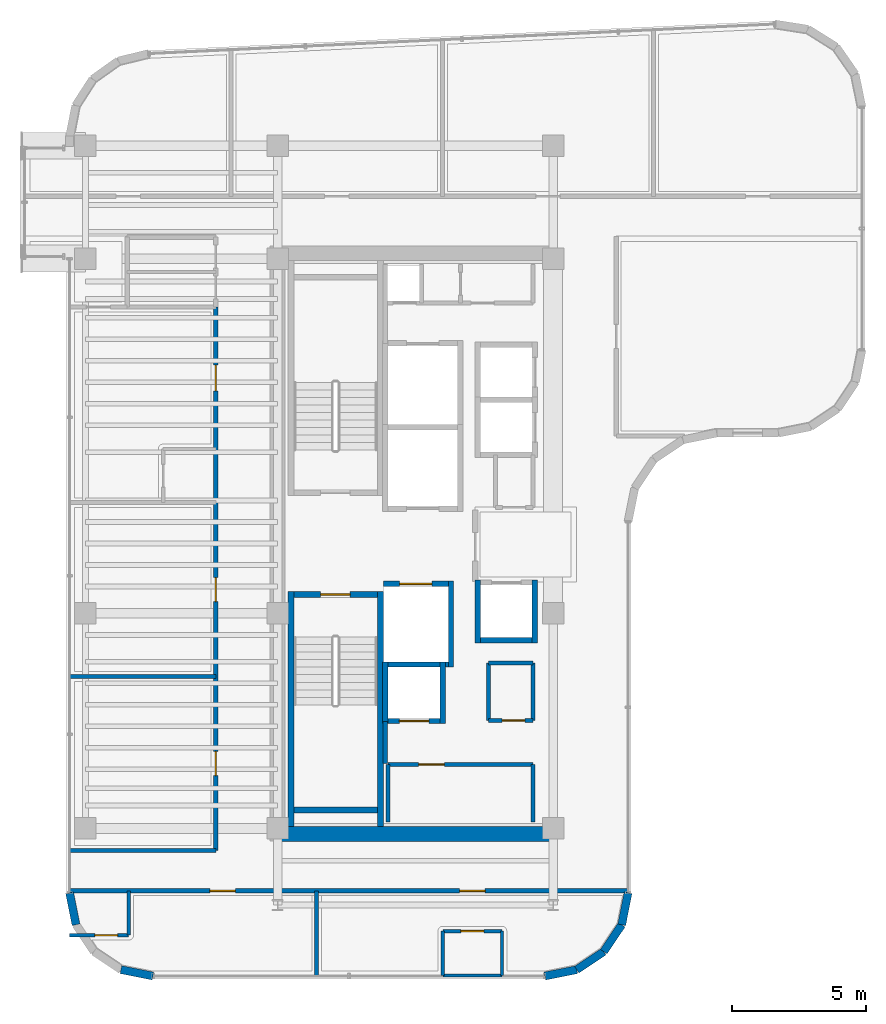
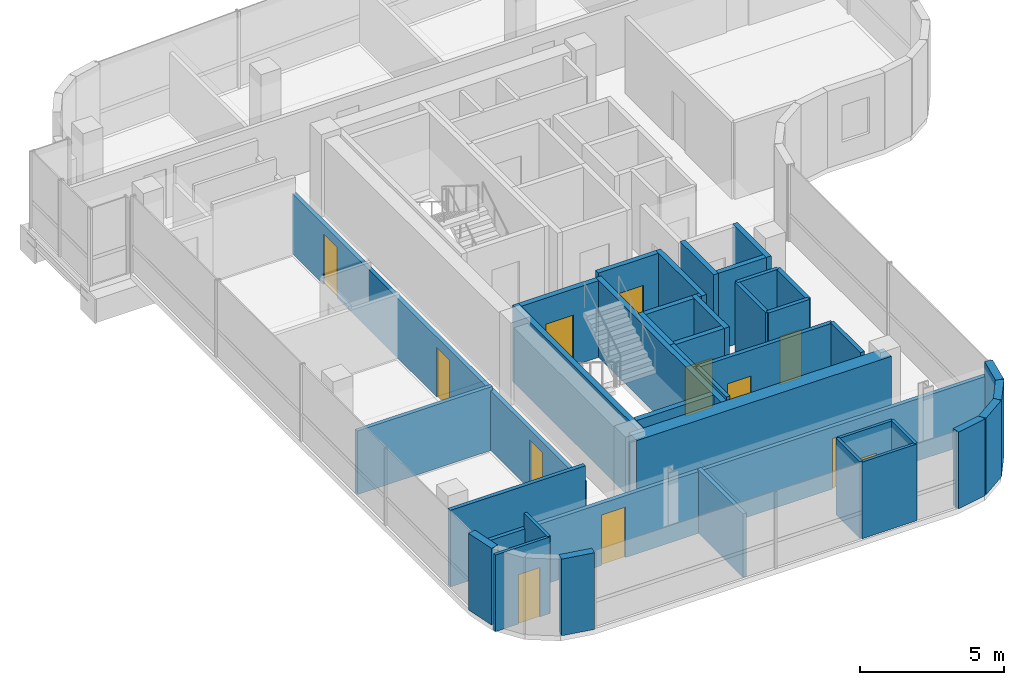
# One storey, part 16 of 21: 39 walls, 12 doors, 12 openings.
"""IFC4 building model written with IfcOpenShell, lengths in metres."""

from ifc_helpers import new_model, si_unit, direction, frame, frame_2d, origin, place, context, subcontext, project, spatial, rectangle, extrude, material, layer, layer_set, type_object, element, fill, save


model = new_model("IFC4")

# Units and contexts
model_context = context("Model", 3, precision=1e-05, world=origin(), true_north=direction((0.0, 1.0)))
body_context = subcontext(model_context, "Body", "Model", "MODEL_VIEW")
ifc_project = project(units=[si_unit("LENGTHUNIT", "METRE"), si_unit("AREAUNIT", "SQUARE_METRE"), si_unit("VOLUMEUNIT", "CUBIC_METRE"), si_unit("PLANEANGLEUNIT", "RADIAN"), si_unit("MASSUNIT", "GRAM", prefix="KILO")], contexts=[model_context])

# Site, building, storey
site_placement = place(None, origin())
site = spatial("IfcSite", under=ifc_project, at=site_placement, CompositionType="ELEMENT")
building_placement = place(site_placement, origin())
building = spatial("IfcBuilding", under=site, at=building_placement, Name="Valdorenza Pilgrim Sanctuary Tower", CompositionType="ELEMENT")
storey_placement = place(building_placement, frame((0.0, 0.0, 254.5)))
storey = spatial("IfcBuildingStorey", under=building, at=storey_placement, Name="L66", CompositionType="ELEMENT", Elevation=254.5)

# Wall
ifc_material_1 = material(Name="Acoustic twin-stud gypsum partition", Category="gypsum")
ifc_layer_1 = layer(ifc_material_1, 0.159912109375, Name="Acoustic twin-stud gypsum partition")
ifc_layer_set_1 = layer_set([ifc_layer_1], Name="Acoustic twin-stud gypsum partition")
wall_type_1 = type_object("IfcWallType", Name="WAL-COR-160", PredefinedType="PARTITIONING", material=ifc_layer_set_1)
wall_1_placement = place(storey_placement, frame((-18.64990234375, -8.179931640625, 0.0), z_axis=(0.0, 0.0, 1.0), x_axis=(0.0, 1.0, 0.0)))
element("IfcWall", 1, at=wall_1_placement, inside=storey, type_object=wall_type_1, Name="L66 Core A South Lift Hall West Wall", PredefinedType="PARTITIONING", context=body_context, shape_type="SweptSolid", body=[
    extrude(rectangle(XDim=1.559814453125, YDim=0.159912109375, at=frame_2d((0.77978515625, 0.0))), origin(), (0.0, 0.0, 1.0), 3.260009765625),
])

# Wall, opening, door
wall_2_placement = place(storey_placement, frame((-18.550048828125, -8.219970703125, 0.0), z_axis=(0.0, 0.0, 1.0), x_axis=(1.0, 0.0, 0.0)))
wall_2 = element("IfcWall", 2, at=wall_2_placement, inside=storey, type_object=wall_type_1, Name="L66 Freed Shaft 1 North Wall", PredefinedType="PARTITIONING", context=body_context, shape_type="SweptSolid", body=[
    extrude(rectangle(XDim=5.400146484375, YDim=0.159912109375, at=frame_2d((2.7001953125, 0.0))), origin(), (0.0, 0.0, 1.0), 3.260009765625),
])
opening_1_placement = place(wall_2_placement, frame((1.14990234375, 0.0, 0.0)))
opening_1 = element("IfcOpeningElement", 3, at=opening_1_placement, cuts=wall_2, Name="Opening DR-UN1", PredefinedType="OPENING", context=body_context, shape_type="SweptSolid", body=[
    extrude(rectangle(XDim=0.949951171875, YDim=2.14990234375, at=frame_2d((0.47509765625, 1.074951171875))), frame((0.0, 0.0947265625, 0.0), z_axis=(0.0, -1.0, 0.0), x_axis=(1.0, 0.0, 0.0)), (0.0, 0.0, 1.0), 0.189697265625),
])
ifc_material_2 = material(Name="Solid-core European oak timber", Category="wood")
door_type_1 = type_object("IfcDoorType", Name="DR-UNIT-950", OperationType="NOTDEFINED", PredefinedType="DOOR", material=ifc_material_2)
door_1_placement = place(opening_1_placement, origin())
door_1 = element("IfcDoor", 4, at=door_1_placement, inside=storey, type_object=door_type_1, Name="L66 Back-of-House Linen Store Door", OperationType="SINGLE_SWING_RIGHT", OverallHeight=2.14990234375, OverallWidth=0.949951171875, PredefinedType="DOOR", context=body_context, shape_type="SweptSolid", body=[
    extrude(rectangle(XDim=0.949951171875, YDim=2.14990234375, at=frame_2d((0.47509765625, 1.074951171875))), frame((0.0, 0.02490234375, 0.0), z_axis=(0.0, -1.0, 0.0), x_axis=(1.0, 0.0, 0.0)), (0.0, 0.0, 1.0), 0.050048828125),
])
fill(opening_1, door_1)

# Wall
wall_3_placement = place(storey_placement, frame((-13.14990234375, -10.35009765625, 0.0), z_axis=(0.0, 0.0, 1.0), x_axis=(0.0, 1.0, 0.0)))
element("IfcWall", 5, at=wall_3_placement, inside=storey, type_object=wall_type_1, Name="L66 Freed Shaft 1 East Wall", PredefinedType="PARTITIONING", context=body_context, shape_type="SweptSolid", body=[
    extrude(rectangle(XDim=2.130126953125, YDim=0.159912109375, at=frame_2d((1.06494140625, 0.0))), origin(), (0.0, 0.0, 1.0), 3.260009765625),
])

# Wall, opening, door
wall_4_placement = place(storey_placement, frame((-14.800048828125, -6.580078125, 0.0), z_axis=(0.0, 0.0, 1.0), x_axis=(1.0, 0.0, 0.0)))
wall_4 = element("IfcWall", 6, at=wall_4_placement, inside=storey, type_object=wall_type_1, Name="L66 Freed Shaft 2 South Wall", PredefinedType="PARTITIONING", context=body_context, shape_type="SweptSolid", body=[
    extrude(rectangle(XDim=1.650146484375, YDim=0.159912109375, at=frame_2d((0.8251953125, 0.0))), origin(), (0.0, 0.0, 1.0), 3.260009765625),
])
opening_2_placement = place(wall_4_placement, frame((0.5, 0.0, 0.0)))
opening_2 = element("IfcOpeningElement", 7, at=opening_2_placement, cuts=wall_4, Name="Opening DR-RS1", PredefinedType="OPENING", context=body_context, shape_type="SweptSolid", body=[
    extrude(rectangle(XDim=0.85009765625, YDim=2.050048828125, at=frame_2d((0.425048828125, 1.02490234375))), frame((0.0, 0.0947265625, 0.0), z_axis=(0.0, -1.0, 0.0), x_axis=(1.0, 0.0, 0.0)), (0.0, 0.0, 1.0), 0.189697265625),
])
ifc_material_3 = material(Name="Painted galvanized steel", Category="steel")
door_type_2 = type_object("IfcDoorType", Name="DR-RSR-850", OperationType="NOTDEFINED", PredefinedType="DOOR", material=ifc_material_3)
door_2_placement = place(opening_2_placement, origin())
door_2 = element("IfcDoor", 8, at=door_2_placement, inside=storey, type_object=door_type_2, Name="L66 Guest Tea Pantry Door", OperationType="SINGLE_SWING_LEFT", OverallHeight=2.050048828125, OverallWidth=0.85009765625, PredefinedType="DOOR", context=body_context, shape_type="SweptSolid", body=[
    extrude(rectangle(XDim=0.85009765625, YDim=2.050048828125, at=frame_2d((0.425048828125, 1.02490234375))), frame((0.0, 0.02490234375, 0.0), z_axis=(0.0, -1.0, 0.0), x_axis=(1.0, 0.0, 0.0)), (0.0, 0.0, 1.0), 0.050048828125),
])
fill(opening_2, door_2)

# Wall
wall_5_placement = place(storey_placement, frame((-13.14990234375, -6.580078125, 0.0), z_axis=(0.0, 0.0, 1.0), x_axis=(0.0, 1.0, 0.0)))
element("IfcWall", 9, at=wall_5_placement, inside=storey, type_object=wall_type_1, Name="L66 Freed Shaft 2 East Wall", PredefinedType="PARTITIONING", context=body_context, shape_type="SweptSolid", body=[
    extrude(rectangle(XDim=2.130126953125, YDim=0.159912109375, at=frame_2d((1.06494140625, 0.0))), origin(), (0.0, 0.0, 1.0), 3.260009765625),
])

# Wall, openings, doors
wall_6_placement = place(storey_placement, frame((-24.949951171875, -11.419921875, 0.0), z_axis=(0.0, 0.0, 1.0), x_axis=(0.0, 1.0, 0.0)))
wall_6 = element("IfcWall", 10, at=wall_6_placement, inside=storey, type_object=wall_type_1, Name="L66 West Wing Corridor Wall", PredefinedType="PARTITIONING", context=body_context, shape_type="SweptSolid", body=[
    extrude(rectangle(XDim=20.219970703125, YDim=0.159912109375, at=frame_2d((10.10986328125, 0.0))), origin(), (0.0, 0.0, 1.0), 2.5439453125),
])
opening_3_placement = place(wall_6_placement, frame((2.784912109375, 0.0, 0.0)))
opening_3 = element("IfcOpeningElement", 11, at=opening_3_placement, cuts=wall_6, Name="Opening DR-RM1", PredefinedType="OPENING", context=body_context, shape_type="SweptSolid", body=[
    extrude(rectangle(XDim=0.89990234375, YDim=2.10009765625, at=frame_2d((0.449951171875, 1.050048828125))), frame((0.0, 0.0947265625, 0.0), z_axis=(0.0, -1.0, 0.0), x_axis=(1.0, 0.0, 0.0)), (0.0, 0.0, 1.0), 0.189697265625),
])
opening_4_placement = place(wall_6_placement, frame((9.256103515625, 0.0, 0.0)))
opening_4 = element("IfcOpeningElement", 12, at=opening_4_placement, cuts=wall_6, Name="Opening DR-RM1", PredefinedType="OPENING", context=body_context, shape_type="SweptSolid", body=[
    extrude(rectangle(XDim=0.89990234375, YDim=2.10009765625, at=frame_2d((0.449951171875, 1.050048828125))), frame((0.0, 0.0947265625, 0.0), z_axis=(0.0, -1.0, 0.0), x_axis=(1.0, 0.0, 0.0)), (0.0, 0.0, 1.0), 0.189697265625),
])
opening_5_placement = place(wall_6_placement, frame((17.10498046875, 0.0, 0.0)))
opening_5 = element("IfcOpeningElement", 13, at=opening_5_placement, cuts=wall_6, Name="Opening DR-UN1", PredefinedType="OPENING", context=body_context, shape_type="SweptSolid", body=[
    extrude(rectangle(XDim=0.949951171875, YDim=2.14990234375, at=frame_2d((0.47509765625, 1.074951171875))), frame((0.0, 0.0947265625, 0.0), z_axis=(0.0, -1.0, 0.0), x_axis=(1.0, 0.0, 0.0)), (0.0, 0.0, 1.0), 0.189697265625),
])
door_type_3 = type_object("IfcDoorType", Name="DR-ROOM-900", OperationType="NOTDEFINED", PredefinedType="DOOR", material=ifc_material_2)
door_3_placement = place(opening_3_placement, origin())
door_3 = element("IfcDoor", 14, at=door_3_placement, inside=storey, type_object=door_type_3, Name="L66 Pilgrim Scholar Office L66-H1 Door", OperationType="SINGLE_SWING_RIGHT", OverallHeight=2.10009765625, OverallWidth=0.89990234375, PredefinedType="DOOR", context=body_context, shape_type="SweptSolid", body=[
    extrude(rectangle(XDim=0.89990234375, YDim=2.10009765625, at=frame_2d((0.449951171875, 1.050048828125))), frame((0.0, 0.02490234375, 0.0), z_axis=(0.0, -1.0, 0.0), x_axis=(1.0, 0.0, 0.0)), (0.0, 0.0, 1.0), 0.050048828125),
])
fill(opening_3, door_3)
door_4_placement = place(opening_4_placement, frame((0.89990234375, 0.0, 0.0), z_axis=(0.0, 0.0, 1.0), x_axis=(-1.0, 0.0, 0.0)))
door_4 = element("IfcDoor", 15, at=door_4_placement, inside=storey, type_object=door_type_3, Name="L66 Pilgrim Scholar Office L66-H2 Door", OperationType="SINGLE_SWING_LEFT", OverallHeight=2.10009765625, OverallWidth=0.89990234375, PredefinedType="DOOR", context=body_context, shape_type="SweptSolid", body=[
    extrude(rectangle(XDim=0.89990234375, YDim=2.10009765625, at=frame_2d((0.449951171875, 1.050048828125))), frame((0.0, 0.02490234375, 0.0), z_axis=(0.0, -1.0, 0.0), x_axis=(1.0, 0.0, 0.0)), (0.0, 0.0, 1.0), 0.050048828125),
])
fill(opening_4, door_4)
door_5_placement = place(opening_5_placement, origin())
door_5 = element("IfcDoor", 16, at=door_5_placement, inside=storey, type_object=door_type_1, Name="L66 Sanctuary Guest Room L66-HW1 Entrance Door", OperationType="SINGLE_SWING_RIGHT", OverallHeight=2.14990234375, OverallWidth=0.949951171875, PredefinedType="DOOR", context=body_context, shape_type="SweptSolid", body=[
    extrude(rectangle(XDim=0.949951171875, YDim=2.14990234375, at=frame_2d((0.47509765625, 1.074951171875))), frame((0.0, 0.02490234375, 0.0), z_axis=(0.0, -1.0, 0.0), x_axis=(1.0, 0.0, 0.0)), (0.0, 0.0, 1.0), 0.050048828125),
])
fill(opening_5, door_5)

wall_7_placement = place(storey_placement, frame((-30.389892578125, -12.919921875, 0.0), z_axis=(0.0, 0.0, 1.0), x_axis=(1.0, 0.0, 0.0)))
wall_7 = element("IfcWall", 17, at=wall_7_placement, inside=storey, type_object=wall_type_1, Name="L66 South Wing Corridor Wall", PredefinedType="PARTITIONING", context=body_context, shape_type="SweptSolid", body=[
    extrude(rectangle(XDim=20.77978515625, YDim=0.159912109375, at=frame_2d((10.389892578125, 0.0))), origin(), (0.0, 0.0, 1.0), 2.634033203125),
])
opening_6_placement = place(wall_7_placement, frame((5.219970703125, 0.0, 0.0)))
opening_6 = element("IfcOpeningElement", 18, at=opening_6_placement, cuts=wall_7, Name="Opening DR-UN1", PredefinedType="OPENING", context=body_context, shape_type="SweptSolid", body=[
    extrude(rectangle(XDim=0.949951171875, YDim=2.14990234375, at=frame_2d((0.47509765625, 1.074951171875))), frame((0.0, 0.0947265625, 0.0), z_axis=(0.0, -1.0, 0.0), x_axis=(1.0, 0.0, 0.0)), (0.0, 0.0, 1.0), 0.189697265625),
])
opening_7_placement = place(wall_7_placement, frame((14.510009765625, 0.0, 0.0)))
opening_7 = element("IfcOpeningElement", 19, at=opening_7_placement, cuts=wall_7, Name="Opening DR-UN1", PredefinedType="OPENING", context=body_context, shape_type="SweptSolid", body=[
    extrude(rectangle(XDim=0.949951171875, YDim=2.14990234375, at=frame_2d((0.47509765625, 1.074951171875))), frame((0.0, 0.0947265625, 0.0), z_axis=(0.0, -1.0, 0.0), x_axis=(1.0, 0.0, 0.0)), (0.0, 0.0, 1.0), 0.189697265625),
])
door_6_placement = place(opening_6_placement, origin())
door_6 = element("IfcDoor", 20, at=door_6_placement, inside=storey, type_object=door_type_1, Name="L66 South Guest Room L66-S1 Entrance Door", OperationType="SINGLE_SWING_RIGHT", OverallHeight=2.14990234375, OverallWidth=0.949951171875, PredefinedType="DOOR", context=body_context, shape_type="SweptSolid", body=[
    extrude(rectangle(XDim=0.949951171875, YDim=2.14990234375, at=frame_2d((0.47509765625, 1.074951171875))), frame((0.0, 0.02490234375, 0.0), z_axis=(0.0, -1.0, 0.0), x_axis=(1.0, 0.0, 0.0)), (0.0, 0.0, 1.0), 0.050048828125),
])
fill(opening_6, door_6)
door_7_placement = place(opening_7_placement, origin())
door_7 = element("IfcDoor", 21, at=door_7_placement, inside=storey, type_object=door_type_1, Name="L66 South Guest Room L66-S2 Entrance Door", OperationType="SINGLE_SWING_RIGHT", OverallHeight=2.14990234375, OverallWidth=0.949951171875, PredefinedType="DOOR", context=body_context, shape_type="SweptSolid", body=[
    extrude(rectangle(XDim=0.949951171875, YDim=2.14990234375, at=frame_2d((0.47509765625, 1.074951171875))), frame((0.0, 0.02490234375, 0.0), z_axis=(0.0, -1.0, 0.0), x_axis=(1.0, 0.0, 0.0)), (0.0, 0.0, 1.0), 0.050048828125),
])
fill(opening_7, door_7)

# Walls
wall_8_placement = place(storey_placement, frame((-30.389892578125, -11.419921875, 0.0), z_axis=(0.0, 0.0, 1.0), x_axis=(1.0, 0.0, 0.0)))
element("IfcWall", 22, at=wall_8_placement, inside=storey, type_object=wall_type_1, Name="L66 South-West Corridor North Wall", PredefinedType="PARTITIONING", context=body_context, shape_type="SweptSolid", body=[
    extrude(rectangle(XDim=5.43994140625, YDim=0.159912109375, at=frame_2d((2.719970703125, 0.0))), origin(), (0.0, 0.0, 1.0), 3.260009765625),
])
ifc_material_4 = material(Name="Concrete C50/60", Category="concrete")
ifc_layer_2 = layer(ifc_material_4, 0.550048828125, Name="Concrete C50/60")
ifc_layer_set_2 = layer_set([ifc_layer_2], Name="Concrete C50/60")
wall_type_2 = type_object("IfcWallType", Name="WAL-COR-550", PredefinedType="SHEAR", material=ifc_layer_set_2)
wall_9_placement = place(storey_placement, frame((-22.64990234375, -10.800048828125, 0.0), z_axis=(0.0, 0.0, 1.0), x_axis=(1.0, 0.0, 0.0)))
element("IfcWall", 23, at=wall_9_placement, inside=storey, type_object=wall_type_2, Name="L66 Split Core A Shear Wall S", PredefinedType="SHEAR", context=body_context, shape_type="SweptSolid", body=[
    extrude(rectangle(XDim=10.25, YDim=0.550048828125, at=frame_2d((5.125, 0.0))), origin(), (0.0, 0.0, 1.0), 3.260009765625),
])
ifc_material_5 = material(Name="Honed travertine limestone", Category="masonry")
ifc_layer_3 = layer(ifc_material_5, 0.300048828125, Name="Honed travertine limestone")
ifc_layer_set_3 = layer_set([ifc_layer_3], Name="Honed travertine limestone")
wall_type_3 = type_object("IfcWallType", Name="WAL-EXT-300", PredefinedType="SOLIDWALL", material=ifc_layer_set_3)
wall_10_placement = place(storey_placement, frame((-9.610107421875, -12.9892578125, 0.0), z_axis=(0.0, 0.0, 1.0), x_axis=(-0.194996050505, -0.980804027463, 0.0)))
element("IfcWall", 24, at=wall_10_placement, inside=storey, type_object=wall_type_3, Name="L66 Rounded Wind-Corner Stone Pier 22", PredefinedType="SOLIDWALL", context=body_context, shape_type="SweptSolid", body=[
    extrude(rectangle(XDim=1.2158203125, YDim=0.300048828125, at=frame_2d((0.60791015625, 0.0))), origin(), (0.0, 0.0, 1.0), 3.260009765625),
])
for number, where, z_axis, x_axis, name in (
    (25, (-9.84716796875, -14.181640625, 0.0), (0.0, 0.0, 1.0), (-0.555635100982, -0.831426265255, 0.0), "L66 Rounded Wind-Corner Stone Pier 23"),
    (26, (-10.5166015625, -15.183349609375, 0.0), (0.0, 0.0, 1.0), (-0.831426265255, -0.555635100982, 0.0), "L66 Rounded Wind-Corner Stone Pier 24"),
):
    element("IfcWall", number, at=place(storey_placement, frame(where, z_axis=z_axis, x_axis=x_axis)), inside=storey, type_object=wall_type_3, Name=name, PredefinedType="SOLIDWALL", context=body_context, shape_type="SweptSolid", body=[
        extrude(rectangle(XDim=1.204833984375, YDim=0.300048828125, at=frame_2d((0.6025390625, 0.0))), origin(), (0.0, 0.0, 1.0), 3.260009765625),
    ])
for number, where, z_axis, x_axis, name in (
    (27, (-11.518310546875, -15.852783203125, 0.0), (0.0, 0.0, 1.0), (-0.980765602568, -0.195189223115, 0.0), "L66 Rounded Wind-Corner Stone Pier 25"),
    (28, (-27.289306640625, -16.090087890625, 0.0), (0.0, 0.0, 1.0), (-0.980765602568, 0.195189223115, 0.0), "L66 Rounded Wind-Corner Stone Pier 27"),
    (29, (-30.15283203125, -14.181640625, 0.0), (0.0, 0.0, 1.0), (-0.194996050505, 0.980804027463, 0.0), "L66 Rounded Wind-Corner Stone Pier 30"),
):
    element("IfcWall", number, at=place(storey_placement, frame(where, z_axis=z_axis, x_axis=x_axis)), inside=storey, type_object=wall_type_3, Name=name, PredefinedType="SOLIDWALL", context=body_context, shape_type="SweptSolid", body=[
        extrude(rectangle(XDim=1.2158203125, YDim=0.300048828125, at=frame_2d((0.60791015625, 0.0))), origin(), (0.0, 0.0, 1.0), 3.260009765625),
    ])
ifc_material_6 = material(Name="Moisture-resistant gypsum partition", Category="gypsum")
ifc_layer_4 = layer(ifc_material_6, 0.1201171875, Name="Moisture-resistant gypsum partition")
ifc_layer_set_4 = layer_set([ifc_layer_4], Name="Moisture-resistant gypsum partition")
wall_type_4 = type_object("IfcWallType", Name="WAL-INT-120", PredefinedType="PARTITIONING", material=ifc_layer_set_4)
wall_11_placement = place(storey_placement, frame((-28.18994140625, -14.570068359375, 0.0), z_axis=(0.0, 0.0, 1.0), x_axis=(0.0, 1.0, 0.0)))
element("IfcWall", 30, at=wall_11_placement, inside=storey, type_object=wall_type_4, Name="L66 South Guest Room L66-S1 En-suite East Wall", PredefinedType="PARTITIONING", context=body_context, shape_type="SweptSolid", body=[
    extrude(rectangle(XDim=1.650146484375, YDim=0.1201171875, at=frame_2d((0.8251953125, 0.0))), origin(), (0.0, 0.0, 1.0), 3.260009765625),
])

# Wall, opening, door
wall_12_placement = place(storey_placement, frame((-30.389892578125, -14.570068359375, 0.0), z_axis=(0.0, 0.0, 1.0), x_axis=(1.0, 0.0, 0.0)))
wall_12 = element("IfcWall", 31, at=wall_12_placement, inside=storey, type_object=wall_type_4, Name="L66 South Guest Room L66-S1 En-suite Door Wall", PredefinedType="PARTITIONING", context=body_context, shape_type="SweptSolid", body=[
    extrude(rectangle(XDim=2.199951171875, YDim=0.1201171875, at=frame_2d((1.10009765625, 0.0))), origin(), (0.0, 0.0, 1.0), 3.260009765625),
])
opening_8_placement = place(wall_12_placement, frame((0.93994140625, 0.0, 0.0)))
opening_8 = element("IfcOpeningElement", 32, at=opening_8_placement, cuts=wall_12, Name="Opening DR-WC1", PredefinedType="OPENING", context=body_context, shape_type="SweptSolid", body=[
    extrude(rectangle(XDim=0.85009765625, YDim=2.10009765625, at=frame_2d((0.425048828125, 1.050048828125))), frame((0.0, 0.074951171875, 0.0), z_axis=(0.0, -1.0, 0.0), x_axis=(1.0, 0.0, 0.0)), (0.0, 0.0, 1.0), 0.14990234375),
])
ifc_material_7 = material(Name="Moisture-resistant lacquered timber", Category="wood")
door_type_4 = type_object("IfcDoorType", Name="DR-BATH-850", OperationType="NOTDEFINED", PredefinedType="DOOR", material=ifc_material_7)
door_8_placement = place(opening_8_placement, origin())
door_8 = element("IfcDoor", 33, at=door_8_placement, inside=storey, type_object=door_type_4, Name="L66 South Guest Room L66-S1 En-suite Bathroom Door", OperationType="SINGLE_SWING_LEFT", OverallHeight=2.10009765625, OverallWidth=0.85009765625, PredefinedType="DOOR", context=body_context, shape_type="SweptSolid", body=[
    extrude(rectangle(XDim=0.85009765625, YDim=2.10009765625, at=frame_2d((0.425048828125, 1.050048828125))), frame((0.0, 0.02490234375, 0.0), z_axis=(0.0, -1.0, 0.0), x_axis=(1.0, 0.0, 0.0)), (0.0, 0.0, 1.0), 0.050048828125),
])
fill(opening_8, door_8)

# Walls
for number, where, z_axis, x_axis, name in (
    (34, (-16.5048828125, -16.070068359375, 0.0), (0.0, 0.0, 1.0), (0.0, 1.0, 0.0), "L66 South Guest Room L66-S2 En-suite West Wall"),
    (35, (-14.304931640625, -16.070068359375, 0.0), (0.0, 0.0, 1.0), (0.0, 1.0, 0.0), "L66 South Guest Room L66-S2 En-suite East Wall"),
):
    element("IfcWall", number, at=place(storey_placement, frame(where, z_axis=z_axis, x_axis=x_axis)), inside=storey, type_object=wall_type_4, Name=name, PredefinedType="PARTITIONING", context=body_context, shape_type="SweptSolid", body=[
        extrude(rectangle(XDim=1.650146484375, YDim=0.1201171875, at=frame_2d((0.8251953125, 0.0))), origin(), (0.0, 0.0, 1.0), 3.260009765625),
    ])
wall_13_placement = place(storey_placement, frame((-16.5048828125, -16.070068359375, 0.0), z_axis=(0.0, 0.0, 1.0), x_axis=(1.0, 0.0, 0.0)))
element("IfcWall", 36, at=wall_13_placement, inside=storey, type_object=wall_type_4, Name="L66 South Guest Room L66-S2 En-suite Back Wall", PredefinedType="PARTITIONING", context=body_context, shape_type="SweptSolid", body=[
    extrude(rectangle(XDim=2.199951171875, YDim=0.1201171875, at=frame_2d((1.10009765625, 0.0))), origin(), (0.0, 0.0, 1.0), 3.260009765625),
])

# Wall, opening, door
wall_14_placement = place(storey_placement, frame((-16.5048828125, -14.419921875, 0.0), z_axis=(0.0, 0.0, 1.0), x_axis=(1.0, 0.0, 0.0)))
wall_14 = element("IfcWall", 37, at=wall_14_placement, inside=storey, type_object=wall_type_4, Name="L66 South Guest Room L66-S2 En-suite Door Wall", PredefinedType="PARTITIONING", context=body_context, shape_type="SweptSolid", body=[
    extrude(rectangle(XDim=2.199951171875, YDim=0.1201171875, at=frame_2d((1.10009765625, 0.0))), origin(), (0.0, 0.0, 1.0), 3.260009765625),
])
opening_9_placement = place(wall_14_placement, frame((0.675048828125, 0.0, 0.0)))
opening_9 = element("IfcOpeningElement", 38, at=opening_9_placement, cuts=wall_14, Name="Opening DR-WC1", PredefinedType="OPENING", context=body_context, shape_type="SweptSolid", body=[
    extrude(rectangle(XDim=0.85009765625, YDim=2.10009765625, at=frame_2d((0.425048828125, 1.050048828125))), frame((0.0, 0.074951171875, 0.0), z_axis=(0.0, -1.0, 0.0), x_axis=(1.0, 0.0, 0.0)), (0.0, 0.0, 1.0), 0.14990234375),
])
door_9_placement = place(opening_9_placement, origin())
door_9 = element("IfcDoor", 39, at=door_9_placement, inside=storey, type_object=door_type_4, Name="L66 South Guest Room L66-S2 En-suite Bathroom Door", OperationType="SINGLE_SWING_LEFT", OverallHeight=2.10009765625, OverallWidth=0.85009765625, PredefinedType="DOOR", context=body_context, shape_type="SweptSolid", body=[
    extrude(rectangle(XDim=0.85009765625, YDim=2.10009765625, at=frame_2d((0.425048828125, 1.050048828125))), frame((0.0, 0.02490234375, 0.0), z_axis=(0.0, -1.0, 0.0), x_axis=(1.0, 0.0, 0.0)), (0.0, 0.0, 1.0), 0.050048828125),
])
fill(opening_9, door_9)

# Walls
ifc_material_8 = material(Name="Autoclaved aerated concrete blockwork", Category="masonry")
ifc_layer_5 = layer(ifc_material_8, 0.199951171875, Name="Autoclaved aerated concrete blockwork")
ifc_layer_set_5 = layer_set([ifc_layer_5], Name="Autoclaved aerated concrete blockwork")
wall_type_5 = type_object("IfcWallType", Name="WAL-SHF-200", PredefinedType="MOVABLE", material=ifc_layer_set_5)
wall_15_placement = place(storey_placement, frame((-16.199951171875, -4.60009765625, 0.0), z_axis=(0.0, 0.0, 1.0), x_axis=(0.0, 1.0, 0.0)))
element("IfcWall", 40, at=wall_15_placement, inside=storey, type_object=wall_type_5, Name="L66 Lift FFL-02 Hoistway Wall East", PredefinedType="MOVABLE", context=body_context, shape_type="SweptSolid", body=[
    extrude(rectangle(XDim=3.2001953125, YDim=0.199951171875, at=frame_2d((1.60009765625, 0.0))), origin(), (0.0, 0.0, 1.0), 3.260009765625),
])
wall_16_placement = place(storey_placement, frame((-18.719970703125, -4.5, 0.0), z_axis=(0.0, 0.0, 1.0), x_axis=(1.0, 0.0, 0.0)))
element("IfcWall", 41, at=wall_16_placement, inside=storey, type_object=wall_type_5, Name="L66 Lift FFL-02 Hoistway Wall South", PredefinedType="MOVABLE", context=body_context, shape_type="SweptSolid", body=[
    extrude(rectangle(XDim=2.419921875, YDim=0.199951171875, at=frame_2d((1.2099609375, 0.0))), origin(), (0.0, 0.0, 1.0), 3.260009765625),
])

# Wall, opening, door
wall_17_placement = place(storey_placement, frame((-18.719970703125, -1.5, 0.0), z_axis=(0.0, 0.0, 1.0), x_axis=(1.0, 0.0, 0.0)))
wall_17 = element("IfcWall", 42, at=wall_17_placement, inside=storey, type_object=wall_type_5, Name="L66 Lift FFL-02 Hoistway Wall North", PredefinedType="MOVABLE", context=body_context, shape_type="SweptSolid", body=[
    extrude(rectangle(XDim=2.419921875, YDim=0.199951171875, at=frame_2d((1.2099609375, 0.0))), origin(), (0.0, 0.0, 1.0), 3.260009765625),
])
opening_10_placement = place(wall_17_placement, frame((0.610107421875, 0.0, 0.0)))
opening_10 = element("IfcOpeningElement", 43, at=opening_10_placement, cuts=wall_17, Name="Opening LD-02", PredefinedType="OPENING", context=body_context, shape_type="SweptSolid", body=[
    extrude(rectangle(XDim=1.199951171875, YDim=2.10009765625, at=frame_2d((0.60009765625, 1.050048828125))), frame((0.0, 0.11474609375, 0.0), z_axis=(0.0, -1.0, 0.0), x_axis=(1.0, 0.0, 0.0)), (0.0, 0.0, 1.0), 0.229736328125),
])
ifc_material_9 = material(Name="Brushed stainless steel Grade 316", Category="steel")
door_type_5 = type_object("IfcDoorType", Name="DR-LFT-1200", OperationType="DOUBLE_DOOR_SLIDING", PredefinedType="DOOR", material=ifc_material_9)
door_10_placement = place(opening_10_placement, origin())
door_10 = element("IfcDoor", 44, at=door_10_placement, inside=storey, type_object=door_type_5, Name="L66 Lift FFL-02 Sliding Landing Door", OperationType="DOUBLE_DOOR_SLIDING", OverallHeight=2.10009765625, OverallWidth=1.199951171875, PredefinedType="DOOR", context=body_context, shape_type="SweptSolid", body=[
    extrude(rectangle(XDim=1.199951171875, YDim=2.10009765625, at=frame_2d((0.60009765625, 1.050048828125))), frame((0.0, 0.02490234375, 0.0), z_axis=(0.0, -1.0, 0.0), x_axis=(1.0, 0.0, 0.0)), (0.0, 0.0, 1.0), 0.050048828125),
])
fill(opening_10, door_10)

# Walls
for number, where, z_axis, x_axis, name in (
    (45, (-18.64990234375, -6.699951171875, 0.0), (0.0, 0.0, 1.0), (0.0, 1.0, 0.0), "L66 Lift PL-11 Hoistway Wall West"),
    (46, (-16.5, -6.699951171875, 0.0), (0.0, 0.0, 1.0), (0.0, 1.0, 0.0), "L66 Lift PL-11 Hoistway Wall East"),
):
    element("IfcWall", number, at=place(storey_placement, frame(where, z_axis=z_axis, x_axis=x_axis)), inside=storey, type_object=wall_type_5, Name=name, PredefinedType="MOVABLE", context=body_context, shape_type="SweptSolid", body=[
        extrude(rectangle(XDim=2.300048828125, YDim=0.199951171875, at=frame_2d((1.14990234375, 0.0))), origin(), (0.0, 0.0, 1.0), 3.260009765625),
    ])

# Wall, opening, door
wall_18_placement = place(storey_placement, frame((-18.550048828125, -6.60009765625, 0.0), z_axis=(0.0, 0.0, 1.0), x_axis=(1.0, 0.0, 0.0)))
wall_18 = element("IfcWall", 47, at=wall_18_placement, inside=storey, type_object=wall_type_5, Name="L66 Lift PL-11 Hoistway Wall South", PredefinedType="MOVABLE", context=body_context, shape_type="SweptSolid", body=[
    extrude(rectangle(XDim=1.949951171875, YDim=0.199951171875, at=frame_2d((0.97509765625, 0.0))), origin(), (0.0, 0.0, 1.0), 3.260009765625),
])
opening_11_placement = place(wall_18_placement, frame((0.425048828125, 0.0, 0.0)))
opening_11 = element("IfcOpeningElement", 48, at=opening_11_placement, cuts=wall_18, Name="Opening LD-01", PredefinedType="OPENING", context=body_context, shape_type="SweptSolid", body=[
    extrude(rectangle(XDim=1.10009765625, YDim=2.10009765625, at=frame_2d((0.550048828125, 1.050048828125))), frame((0.0, 0.11474609375, 0.0), z_axis=(0.0, -1.0, 0.0), x_axis=(1.0, 0.0, 0.0)), (0.0, 0.0, 1.0), 0.229736328125),
])
door_type_6 = type_object("IfcDoorType", Name="DR-LFT-1100", OperationType="DOUBLE_DOOR_SLIDING", PredefinedType="DOOR", material=ifc_material_9)
door_11_placement = place(opening_11_placement, origin())
door_11 = element("IfcDoor", 49, at=door_11_placement, inside=storey, type_object=door_type_6, Name="L66 Lift PL-11 Sliding Landing Door", OperationType="DOUBLE_DOOR_SLIDING", OverallHeight=2.10009765625, OverallWidth=1.10009765625, PredefinedType="DOOR", context=body_context, shape_type="SweptSolid", body=[
    extrude(rectangle(XDim=1.10009765625, YDim=2.10009765625, at=frame_2d((0.550048828125, 1.050048828125))), frame((0.0, 0.02490234375, 0.0), z_axis=(0.0, -1.0, 0.0), x_axis=(1.0, 0.0, 0.0)), (0.0, 0.0, 1.0), 0.050048828125),
])
fill(opening_11, door_11)

# Walls
for number, where, z_axis, x_axis, name in (
    (50, (-15.199951171875, -3.699951171875, 0.0), (0.0, 0.0, 1.0), (0.0, 1.0, 0.0), "L66 Lift PL-12 Hoistway Wall West"),
    (51, (-13.080078125, -3.699951171875, 0.0), (0.0, 0.0, 1.0), (0.0, 1.0, 0.0), "L66 Lift PL-12 Hoistway Wall East"),
):
    element("IfcWall", number, at=place(storey_placement, frame(where, z_axis=z_axis, x_axis=x_axis)), inside=storey, type_object=wall_type_5, Name=name, PredefinedType="MOVABLE", context=body_context, shape_type="SweptSolid", body=[
        extrude(rectangle(XDim=2.349853515625, YDim=0.199951171875, at=frame_2d((1.1748046875, 0.0))), origin(), (0.0, 0.0, 1.0), 3.260009765625),
    ])
wall_19_placement = place(storey_placement, frame((-15.10009765625, -3.60009765625, 0.0), z_axis=(0.0, 0.0, 1.0), x_axis=(1.0, 0.0, 0.0)))
element("IfcWall", 52, at=wall_19_placement, inside=storey, type_object=wall_type_5, Name="L66 Lift PL-12 Hoistway Wall South", PredefinedType="MOVABLE", context=body_context, shape_type="SweptSolid", body=[
    extrude(rectangle(XDim=1.920166015625, YDim=0.199951171875, at=frame_2d((0.9599609375, 0.0))), origin(), (0.0, 0.0, 1.0), 3.260009765625),
])
ifc_material_10 = material(Name="Concrete C40/50", Category="concrete")
ifc_layer_6 = layer(ifc_material_10, 0.219970703125, Name="Concrete C40/50")
ifc_layer_set_6 = layer_set([ifc_layer_6], Name="Concrete C40/50")
wall_type_6 = type_object("IfcWallType", Name="WAL-STR-SHF-220", PredefinedType="SHEAR", material=ifc_layer_set_6)
for number, where, z_axis, x_axis, name in (
    (53, (-22.159912109375, -10.52490234375, 0.0), (0.0, 0.0, 1.0), (0.0, 1.0, 0.0), "L66 ST-A2 Structural Stairwell Wall W"),
    (54, (-18.830078125, -10.52490234375, 0.0), (0.0, 0.0, 1.0), (0.0, 1.0, 0.0), "L66 ST-A2 Structural Stairwell Wall E"),
):
    element("IfcWall", number, at=place(storey_placement, frame(where, z_axis=z_axis, x_axis=x_axis)), inside=storey, type_object=wall_type_6, Name=name, PredefinedType="SHEAR", context=body_context, shape_type="SweptSolid", body=[
        extrude(rectangle(XDim=8.744873046875, YDim=0.219970703125, at=frame_2d((4.37255859375, 0.0))), origin(), (0.0, 0.0, 1.0), 3.260009765625),
    ])
wall_20_placement = place(storey_placement, frame((-22.050048828125, -9.909912109375, 0.0), z_axis=(0.0, 0.0, 1.0), x_axis=(1.0, 0.0, 0.0)))
element("IfcWall", 55, at=wall_20_placement, inside=storey, type_object=wall_type_6, Name="L66 ST-A2 Structural Stairwell Wall S", PredefinedType="SHEAR", context=body_context, shape_type="SweptSolid", body=[
    extrude(rectangle(XDim=3.110107421875, YDim=0.219970703125, at=frame_2d((1.55517578125, 0.0))), origin(), (0.0, 0.0, 1.0), 3.260009765625),
])

# Wall, opening, door
wall_21_placement = place(storey_placement, frame((-22.050048828125, -1.889892578125, 0.0), z_axis=(0.0, 0.0, 1.0), x_axis=(1.0, 0.0, 0.0)))
wall_21 = element("IfcWall", 56, at=wall_21_placement, inside=storey, type_object=wall_type_6, Name="L66 ST-A2 Structural Stairwell Wall N", PredefinedType="SHEAR", context=body_context, shape_type="SweptSolid", body=[
    extrude(rectangle(XDim=3.110107421875, YDim=0.219970703125, at=frame_2d((1.55517578125, 0.0))), origin(), (0.0, 0.0, 1.0), 3.260009765625),
])
opening_12_placement = place(wall_21_placement, frame((1.0, 0.0, 0.0)))
opening_12 = element("IfcOpeningElement", 57, at=opening_12_placement, cuts=wall_21, Name="Opening DR-ST1", PredefinedType="OPENING", context=body_context, shape_type="SweptSolid", body=[
    extrude(rectangle(XDim=1.10009765625, YDim=2.14990234375, at=frame_2d((0.550048828125, 1.074951171875))), frame((0.0, 0.125, 0.0), z_axis=(0.0, -1.0, 0.0), x_axis=(1.0, 0.0, 0.0)), (0.0, 0.0, 1.0), 0.249755859375),
])
door_type_7 = type_object("IfcDoorType", Name="DR-STAIR-1100", OperationType="NOTDEFINED", PredefinedType="DOOR", material=ifc_material_3)
door_12_placement = place(opening_12_placement, origin())
door_12 = element("IfcDoor", 58, at=door_12_placement, inside=storey, type_object=door_type_7, Name="L66 Exit Stair ST-A2 Door", OperationType="SINGLE_SWING_RIGHT", OverallHeight=2.14990234375, OverallWidth=1.10009765625, PredefinedType="DOOR", context=body_context, shape_type="SweptSolid", body=[
    extrude(rectangle(XDim=1.10009765625, YDim=2.14990234375, at=frame_2d((0.550048828125, 1.074951171875))), frame((0.0, 0.02490234375, 0.0), z_axis=(0.0, -1.0, 0.0), x_axis=(1.0, 0.0, 0.0)), (0.0, 0.0, 1.0), 0.050048828125),
])
fill(opening_12, door_12)

# Walls
ifc_layer_7 = layer(ifc_material_1, 0.14990234375, Name="Acoustic twin-stud gypsum partition")
ifc_layer_set_7 = layer_set([ifc_layer_7], Name="Acoustic twin-stud gypsum partition")
wall_type_7 = type_object("IfcWallType", Name="WAL-UNT-150", PredefinedType="PARTITIONING", material=ifc_layer_set_7)
for number, where, z_axis, x_axis, name in (
    (59, (-18.550048828125, -10.35009765625, 0.0), (0.0, 0.0, 1.0), (0.0, 1.0, 0.0), "L66 Freed Shaft 1 West Wall"),
    (60, (-14.800048828125, -6.580078125, 0.0), (0.0, 0.0, 1.0), (0.0, 1.0, 0.0), "L66 Freed Shaft 2 West Wall"),
):
    element("IfcWall", number, at=place(storey_placement, frame(where, z_axis=z_axis, x_axis=x_axis)), inside=storey, type_object=wall_type_7, Name=name, PredefinedType="PARTITIONING", context=body_context, shape_type="SweptSolid", body=[
        extrude(rectangle(XDim=2.130126953125, YDim=0.14990234375, at=frame_2d((1.06494140625, 0.0))), origin(), (0.0, 0.0, 1.0), 3.260009765625),
    ])
wall_22_placement = place(storey_placement, frame((-14.800048828125, -4.449951171875, 0.0), z_axis=(0.0, 0.0, 1.0), x_axis=(1.0, 0.0, 0.0)))
element("IfcWall", 61, at=wall_22_placement, inside=storey, type_object=wall_type_7, Name="L66 Freed Shaft 2 North Wall", PredefinedType="PARTITIONING", context=body_context, shape_type="SweptSolid", body=[
    extrude(rectangle(XDim=1.650146484375, YDim=0.14990234375, at=frame_2d((0.8251953125, 0.0))), origin(), (0.0, 0.0, 1.0), 3.260009765625),
])
wall_23_placement = place(storey_placement, frame((-30.389892578125, -4.949462890625, 0.0), z_axis=(0.0, 0.0, 1.0), x_axis=(1.0, 0.0, 0.0)))
element("IfcWall", 62, at=wall_23_placement, inside=storey, type_object=wall_type_7, Name="L66 Pilgrim Scholar Office L66-H2 Demising Wall", PredefinedType="PARTITIONING", context=body_context, shape_type="SweptSolid", body=[
    extrude(rectangle(XDim=5.43994140625, YDim=0.14990234375, at=frame_2d((2.719970703125, 0.0))), origin(), (0.0, 0.0, 1.0), 2.7060546875),
])
wall_24_placement = place(storey_placement, frame((-21.199951171875, -16.090087890625, 0.0), z_axis=(0.0, 0.0, 1.0), x_axis=(0.0, 1.0, 0.0)))
element("IfcWall", 63, at=wall_24_placement, inside=storey, type_object=wall_type_7, Name="L66 South Demising 1", PredefinedType="PARTITIONING", context=body_context, shape_type="SweptSolid", body=[
    extrude(rectangle(XDim=3.170166015625, YDim=0.14990234375, at=frame_2d((1.5849609375, 0.0))), origin(), (0.0, 0.0, 1.0), 2.7060546875),
])

save(model, "model.ifc")
